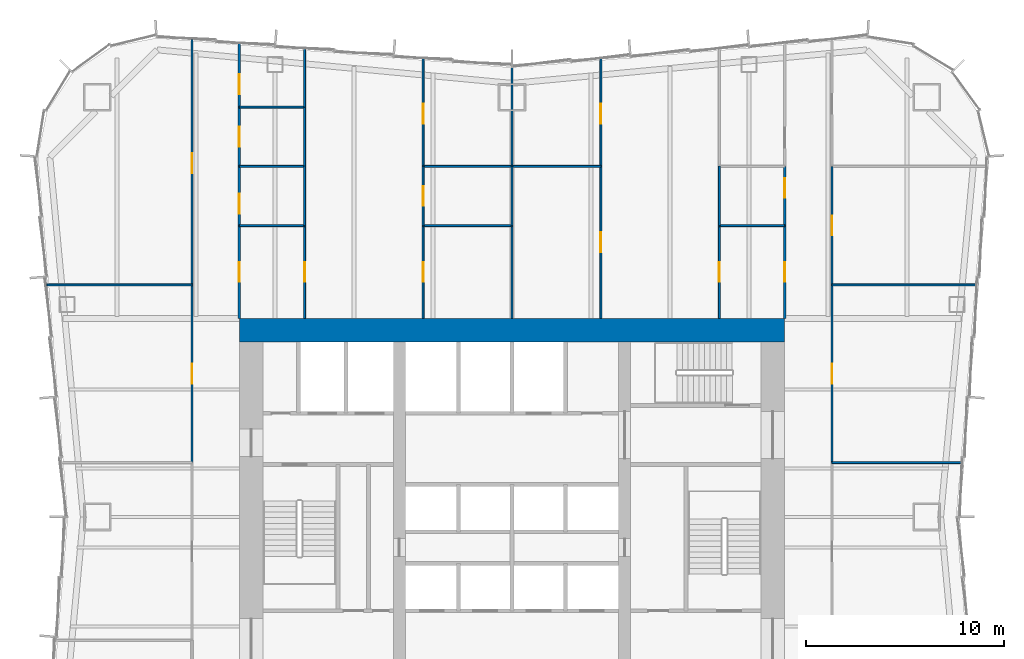
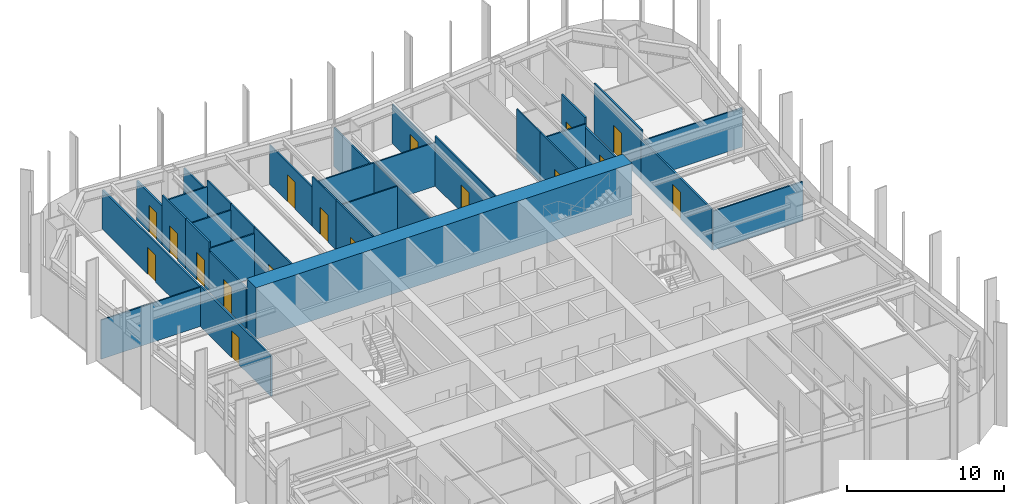
# One storey, part 11 of 13: 35 walls, 17 doors, 17 openings.
"""IFC4 building model written with IfcOpenShell, lengths in metres."""

from ifc_helpers import new_model, si_unit, direction, frame, frame_2d, origin, place, context, subcontext, project, spatial, rectangle, extrude, material, layer, layer_set, type_object, element, fill, save


model = new_model("IFC4")

# Units and contexts
model_context = context("Model", 3, precision=1e-05, world=origin(), true_north=direction((0.0, 1.0)))
body_context = subcontext(model_context, "Body", "Model", "MODEL_VIEW")
ifc_project = project(units=[si_unit("LENGTHUNIT", "METRE"), si_unit("AREAUNIT", "SQUARE_METRE"), si_unit("VOLUMEUNIT", "CUBIC_METRE"), si_unit("PLANEANGLEUNIT", "RADIAN"), si_unit("MASSUNIT", "GRAM", prefix="KILO")], contexts=[model_context])

# Site, building, storey
site_placement = place(None, origin())
site = spatial("IfcSite", under=ifc_project, at=site_placement, CompositionType="ELEMENT")
building_placement = place(site_placement, origin())
building = spatial("IfcBuilding", under=site, at=building_placement, Name="Verdant Reach Tower", CompositionType="ELEMENT")
storey_placement = place(building_placement, frame((0.0, 0.0, 106.0)))
storey = spatial("IfcBuildingStorey", under=building, at=storey_placement, Name="L24", CompositionType="ELEMENT", Elevation=106.0)

# Walls
ifc_material_1 = material(Name="Gypsum board on steel studs", Category="steel")
ifc_layer_1 = layer(ifc_material_1, 0.10009765625)
ifc_layer_set_1 = layer_set([ifc_layer_1], Name="FL-W1 Partition 100")
wall_type_1 = type_object("IfcWallType", Name="FL-W1 Partition 100", PredefinedType="PARTITIONING", material=ifc_layer_set_1)
wall_1_placement = place(storey_placement, frame((-16.199951171875, 40.5, 0.0), z_axis=(0.0, 0.0, 1.0), x_axis=(-1.0, 0.0, 0.0)))
element("IfcWall", 1, at=wall_1_placement, inside=storey, type_object=wall_type_1, Name="Partition 24.32", PredefinedType="PARTITIONING", context=body_context, shape_type="SweptSolid", body=[
    extrude(rectangle(XDim=7.345947265625, YDim=0.10009765625, at=frame_2d((3.6728515625, 0.0))), origin(), (0.0, 0.0, 1.0), 3.0400390625),
])
wall_2_placement = place(storey_placement, frame((22.805908203125, 31.5, 0.0), z_axis=(0.0, 0.0, 1.0), x_axis=(-1.0, 0.0, 0.0)))
element("IfcWall", 2, at=wall_2_placement, inside=storey, type_object=wall_type_1, Name="Partition 24.35", PredefinedType="PARTITIONING", context=body_context, shape_type="SweptSolid", body=[
    extrude(rectangle(XDim=6.60595703125, YDim=0.10009765625, at=frame_2d((3.302978515625, 0.0))), origin(), (0.0, 0.0, 1.0), 3.0400390625),
])
wall_3_placement = place(storey_placement, frame((23.5458984375, 40.5, 0.0), z_axis=(0.0, 0.0, 1.0), x_axis=(-1.0, 0.0, 0.0)))
element("IfcWall", 3, at=wall_3_placement, inside=storey, type_object=wall_type_1, Name="Partition 24.36", PredefinedType="PARTITIONING", context=body_context, shape_type="SweptSolid", body=[
    extrude(rectangle(XDim=7.345947265625, YDim=0.10009765625, at=frame_2d((3.6728515625, 0.0))), origin(), (0.0, 0.0, 1.0), 3.0400390625),
])
wall_4_placement = place(storey_placement, frame((-10.5, 43.5, 0.0), z_axis=(0.0, 0.0, 1.0), x_axis=(-1.0, 0.0, 0.0)))
element("IfcWall", 4, at=wall_4_placement, inside=storey, type_object=wall_type_1, Name="Partition 24.54", PredefinedType="PARTITIONING", context=body_context, shape_type="SweptSolid", body=[
    extrude(rectangle(XDim=3.300048828125, YDim=0.10009765625, at=frame_2d((1.64990234375, 0.0))), origin(), (0.0, 0.0, 1.0), 3.389892578125),
])

# Wall, opening, door
wall_5_placement = place(storey_placement, frame((-10.5, 43.50390625, 0.0), z_axis=(0.0, 0.0, 1.0), x_axis=(0.0, -1.0, 0.0)))
wall_5 = element("IfcWall", 5, at=wall_5_placement, inside=storey, type_object=wall_type_1, Name="Partition 24.55", PredefinedType="PARTITIONING", context=body_context, shape_type="SweptSolid", body=[
    extrude(rectangle(XDim=4.703857421875, YDim=0.10009765625, at=frame_2d((2.35205078125, 0.0))), origin(), (0.0, 0.0, 1.0), 3.8701171875),
])
opening_1_placement = place(wall_5_placement, frame((1.85205078125, 0.0, 0.0)))
opening_1 = element("IfcOpeningElement", 6, at=opening_1_placement, cuts=wall_5, Name="Opening D3", PredefinedType="OPENING", context=body_context, shape_type="SweptSolid", body=[
    extrude(rectangle(XDim=1.0, YDim=2.10009765625, at=frame_2d((0.5, 1.050048828125))), frame((0.0, 0.06005859375, 0.0), z_axis=(0.0, -1.0, 0.0), x_axis=(1.0, 0.0, 0.0)), (0.0, 0.0, 1.0), 0.1201171875),
])
ifc_material_2 = material(Name="Painted timber door leaf", Category="wood")
door_type_1 = type_object("IfcDoorType", Name="FL-D3 Door 1000x2100", OperationType="NOTDEFINED", PredefinedType="DOOR", material=ifc_material_2)
door_1_placement = place(opening_1_placement, origin())
door_1 = element("IfcDoor", 7, at=door_1_placement, inside=storey, type_object=door_type_1, Name="Door 24-032", OperationType="SINGLE_SWING_RIGHT", OverallHeight=2.10009765625, OverallWidth=1.0, PredefinedType="DOOR", context=body_context, shape_type="SweptSolid", body=[
    extrude(rectangle(XDim=1.0, YDim=2.10009765625, at=frame_2d((0.5, 1.050048828125))), frame((0.0, 0.02490234375, 0.0), z_axis=(0.0, -1.0, 0.0), x_axis=(1.0, 0.0, 0.0)), (0.0, 0.0, 1.0), 0.050048828125),
])
fill(opening_1, door_1)

# Walls
wall_6_placement = place(storey_placement, frame((-10.5, 46.5, 0.0), z_axis=(0.0, 0.0, 1.0), x_axis=(-1.0, 0.0, 0.0)))
element("IfcWall", 8, at=wall_6_placement, inside=storey, type_object=wall_type_1, Name="Partition 24.56", PredefinedType="PARTITIONING", context=body_context, shape_type="SweptSolid", body=[
    extrude(rectangle(XDim=3.300048828125, YDim=0.10009765625, at=frame_2d((1.64990234375, 0.0))), origin(), (0.0, 0.0, 1.0), 3.389892578125),
])
wall_7_placement = place(storey_placement, frame((-10.5, 43.49609375, 0.0), z_axis=(0.0, 0.0, 1.0), x_axis=(0.0, 1.0, 0.0)))
element("IfcWall", 9, at=wall_7_placement, inside=storey, type_object=wall_type_1, Name="Partition 24.57", PredefinedType="PARTITIONING", context=body_context, shape_type="SweptSolid", body=[
    extrude(rectangle(XDim=3.0078125, YDim=0.10009765625, at=frame_2d((1.50390625, 0.0))), origin(), (0.0, 0.0, 1.0), 3.8701171875),
])
wall_8_placement = place(storey_placement, frame((-10.5, 49.5, 0.0), z_axis=(0.0, 0.0, 1.0), x_axis=(-1.0, 0.0, 0.0)))
element("IfcWall", 10, at=wall_8_placement, inside=storey, type_object=wall_type_1, Name="Partition 24.58", PredefinedType="PARTITIONING", context=body_context, shape_type="SweptSolid", body=[
    extrude(rectangle(XDim=3.300048828125, YDim=0.10009765625, at=frame_2d((1.64990234375, 0.0))), origin(), (0.0, 0.0, 1.0), 3.389892578125),
])
wall_9_placement = place(storey_placement, frame((-10.5, 46.49609375, 0.0), z_axis=(0.0, 0.0, 1.0), x_axis=(0.0, 1.0, 0.0)))
element("IfcWall", 11, at=wall_9_placement, inside=storey, type_object=wall_type_1, Name="Partition 24.59", PredefinedType="PARTITIONING", context=body_context, shape_type="SweptSolid", body=[
    extrude(rectangle(XDim=3.0078125, YDim=0.10009765625, at=frame_2d((1.50390625, 0.0))), origin(), (0.0, 0.0, 1.0), 3.8701171875),
])
wall_10_placement = place(storey_placement, frame((-10.5, 49.49609375, 0.0), z_axis=(0.0, 0.0, 1.0), x_axis=(0.0, 1.0, 0.0)))
element("IfcWall", 12, at=wall_10_placement, inside=storey, type_object=wall_type_1, Name="Partition 24.60", PredefinedType="PARTITIONING", context=body_context, shape_type="SweptSolid", body=[
    extrude(rectangle(XDim=2.958984375, YDim=0.10009765625, at=frame_2d((1.4794921875, 0.0))), origin(), (0.0, 0.0, 1.0), 3.0400390625),
])

# Wall, opening, door
wall_11_placement = place(storey_placement, frame((-4.5, 43.5, 0.0), z_axis=(0.0, 0.0, 1.0), x_axis=(0.0, -1.0, 0.0)))
wall_11 = element("IfcWall", 13, at=wall_11_placement, inside=storey, type_object=wall_type_1, Name="Partition 24.61", PredefinedType="PARTITIONING", context=body_context, shape_type="SweptSolid", body=[
    extrude(rectangle(XDim=4.699951171875, YDim=0.10009765625, at=frame_2d((2.35009765625, 0.0))), origin(), (0.0, 0.0, 1.0), 3.8701171875),
])
opening_2_placement = place(wall_11_placement, frame((1.85009765625, 0.0, 0.0)))
opening_2 = element("IfcOpeningElement", 14, at=opening_2_placement, cuts=wall_11, Name="Opening D3", PredefinedType="OPENING", context=body_context, shape_type="SweptSolid", body=[
    extrude(rectangle(XDim=1.0, YDim=2.10009765625, at=frame_2d((0.5, 1.050048828125))), frame((0.0, 0.06005859375, 0.0), z_axis=(0.0, -1.0, 0.0), x_axis=(1.0, 0.0, 0.0)), (0.0, 0.0, 1.0), 0.1201171875),
])
door_2_placement = place(opening_2_placement, origin())
door_2 = element("IfcDoor", 15, at=door_2_placement, inside=storey, type_object=door_type_1, Name="Door 24-033", OperationType="SINGLE_SWING_LEFT", OverallHeight=2.10009765625, OverallWidth=1.0, PredefinedType="DOOR", context=body_context, shape_type="SweptSolid", body=[
    extrude(rectangle(XDim=1.0, YDim=2.10009765625, at=frame_2d((0.5, 1.050048828125))), frame((0.0, 0.02490234375, 0.0), z_axis=(0.0, -1.0, 0.0), x_axis=(1.0, 0.0, 0.0)), (0.0, 0.0, 1.0), 0.050048828125),
])
fill(opening_2, door_2)

wall_12_placement = place(storey_placement, frame((-4.5, 46.5, 0.0), z_axis=(0.0, 0.0, 1.0), x_axis=(0.0, -1.0, 0.0)))
wall_12 = element("IfcWall", 16, at=wall_12_placement, inside=storey, type_object=wall_type_1, Name="Partition 24.62", PredefinedType="PARTITIONING", context=body_context, shape_type="SweptSolid", body=[
    extrude(rectangle(XDim=3.0, YDim=0.10009765625, at=frame_2d((1.5, 0.0))), origin(), (0.0, 0.0, 1.0), 3.8701171875),
])
opening_3_placement = place(wall_12_placement, frame((1.0, 0.0, 0.0)))
opening_3 = element("IfcOpeningElement", 17, at=opening_3_placement, cuts=wall_12, Name="Opening D3", PredefinedType="OPENING", context=body_context, shape_type="SweptSolid", body=[
    extrude(rectangle(XDim=1.0, YDim=2.10009765625, at=frame_2d((0.5, 1.050048828125))), frame((0.0, 0.06005859375, 0.0), z_axis=(0.0, -1.0, 0.0), x_axis=(1.0, 0.0, 0.0)), (0.0, 0.0, 1.0), 0.1201171875),
])
door_3_placement = place(opening_3_placement, origin())
door_3 = element("IfcDoor", 18, at=door_3_placement, inside=storey, type_object=door_type_1, Name="Door 24-034", OperationType="SINGLE_SWING_RIGHT", OverallHeight=2.10009765625, OverallWidth=1.0, PredefinedType="DOOR", context=body_context, shape_type="SweptSolid", body=[
    extrude(rectangle(XDim=1.0, YDim=2.10009765625, at=frame_2d((0.5, 1.050048828125))), frame((0.0, 0.02490234375, 0.0), z_axis=(0.0, -1.0, 0.0), x_axis=(1.0, 0.0, 0.0)), (0.0, 0.0, 1.0), 0.050048828125),
])
fill(opening_3, door_3)

wall_13_placement = place(storey_placement, frame((-4.5, 51.955078125, 0.0), z_axis=(0.0, 0.0, 1.0), x_axis=(0.0, -1.0, 0.0)))
wall_13 = element("IfcWall", 19, at=wall_13_placement, inside=storey, type_object=wall_type_1, Name="Partition 24.63", PredefinedType="PARTITIONING", context=body_context, shape_type="SweptSolid", body=[
    extrude(rectangle(XDim=5.455078125, YDim=0.10009765625, at=frame_2d((2.7275390625, 0.0))), origin(), (0.0, 0.0, 1.0), 3.0400390625),
])
opening_4_placement = place(wall_13_placement, frame((2.29248046875, 0.0, 0.0)))
opening_4 = element("IfcOpeningElement", 20, at=opening_4_placement, cuts=wall_13, Name="Opening D3", PredefinedType="OPENING", context=body_context, shape_type="SweptSolid", body=[
    extrude(rectangle(XDim=1.0, YDim=2.10009765625, at=frame_2d((0.5, 1.050048828125))), frame((0.0, 0.06005859375, 0.0), z_axis=(0.0, -1.0, 0.0), x_axis=(1.0, 0.0, 0.0)), (0.0, 0.0, 1.0), 0.1201171875),
])
door_4_placement = place(opening_4_placement, origin())
door_4 = element("IfcDoor", 21, at=door_4_placement, inside=storey, type_object=door_type_1, Name="Door 24-035", OperationType="SINGLE_SWING_RIGHT", OverallHeight=2.10009765625, OverallWidth=1.0, PredefinedType="DOOR", context=body_context, shape_type="SweptSolid", body=[
    extrude(rectangle(XDim=1.0, YDim=2.10009765625, at=frame_2d((0.5, 1.050048828125))), frame((0.0, 0.02490234375, 0.0), z_axis=(0.0, -1.0, 0.0), x_axis=(1.0, 0.0, 0.0)), (0.0, 0.0, 1.0), 0.050048828125),
])
fill(opening_4, door_4)

# Walls
wall_14_placement = place(storey_placement, frame((0.0, 43.5, 0.0), z_axis=(0.0, 0.0, 1.0), x_axis=(-1.0, 0.0, 0.0)))
element("IfcWall", 22, at=wall_14_placement, inside=storey, type_object=wall_type_1, Name="Partition 24.64", PredefinedType="PARTITIONING", context=body_context, shape_type="SweptSolid", body=[
    extrude(rectangle(XDim=4.5, YDim=0.10009765625, at=frame_2d((2.25, 0.0))), origin(), (0.0, 0.0, 1.0), 3.389892578125),
])
wall_15_placement = place(storey_placement, frame((0.0, 38.800048828125, 0.0), z_axis=(0.0, 0.0, 1.0), x_axis=(0.0, 1.0, 0.0)))
element("IfcWall", 23, at=wall_15_placement, inside=storey, type_object=wall_type_1, Name="Partition 24.65", PredefinedType="PARTITIONING", context=body_context, shape_type="SweptSolid", body=[
    extrude(rectangle(XDim=4.703857421875, YDim=0.10009765625, at=frame_2d((2.35205078125, 0.0))), origin(), (0.0, 0.0, 1.0), 3.43994140625),
])
wall_16_placement = place(storey_placement, frame((0.0, 46.5, 0.0), z_axis=(0.0, 0.0, 1.0), x_axis=(-1.0, 0.0, 0.0)))
element("IfcWall", 24, at=wall_16_placement, inside=storey, type_object=wall_type_1, Name="Partition 24.66", PredefinedType="PARTITIONING", context=body_context, shape_type="SweptSolid", body=[
    extrude(rectangle(XDim=4.5, YDim=0.10009765625, at=frame_2d((2.25, 0.0))), origin(), (0.0, 0.0, 1.0), 3.389892578125),
])
wall_17_placement = place(storey_placement, frame((0.0, 43.49609375, 0.0), z_axis=(0.0, 0.0, 1.0), x_axis=(0.0, 1.0, 0.0)))
element("IfcWall", 25, at=wall_17_placement, inside=storey, type_object=wall_type_1, Name="Partition 24.67", PredefinedType="PARTITIONING", context=body_context, shape_type="SweptSolid", body=[
    extrude(rectangle(XDim=3.00390625, YDim=0.10009765625, at=frame_2d((1.501953125, 0.0))), origin(), (0.0, 0.0, 1.0), 3.43994140625),
])
wall_18_placement = place(storey_placement, frame((0.0, 46.5, 0.0), z_axis=(0.0, 0.0, 1.0), x_axis=(0.0, 1.0, 0.0)))
element("IfcWall", 26, at=wall_18_placement, inside=storey, type_object=wall_type_1, Name="Partition 24.68", PredefinedType="PARTITIONING", context=body_context, shape_type="SweptSolid", body=[
    extrude(rectangle(XDim=5.080078125, YDim=0.10009765625, at=frame_2d((2.5400390625, 0.0))), origin(), (0.0, 0.0, 1.0), 3.0400390625),
])
wall_19_placement = place(storey_placement, frame((13.800048828125, 43.5, 0.0), z_axis=(0.0, 0.0, 1.0), x_axis=(-1.0, 0.0, 0.0)))
element("IfcWall", 27, at=wall_19_placement, inside=storey, type_object=wall_type_1, Name="Partition 24.69", PredefinedType="PARTITIONING", context=body_context, shape_type="SweptSolid", body=[
    extrude(rectangle(XDim=3.300048828125, YDim=0.10009765625, at=frame_2d((1.64990234375, 0.0))), origin(), (0.0, 0.0, 1.0), 3.389892578125),
])

# Wall, opening, door
wall_20_placement = place(storey_placement, frame((10.5, 38.800048828125, 0.0), z_axis=(0.0, 0.0, 1.0), x_axis=(0.0, 1.0, 0.0)))
wall_20 = element("IfcWall", 28, at=wall_20_placement, inside=storey, type_object=wall_type_1, Name="Partition 24.70", PredefinedType="PARTITIONING", context=body_context, shape_type="SweptSolid", body=[
    extrude(rectangle(XDim=4.703857421875, YDim=0.10009765625, at=frame_2d((2.35205078125, 0.0))), origin(), (0.0, 0.0, 1.0), 3.8701171875),
])
opening_5_placement = place(wall_20_placement, frame((1.85205078125, 0.0, 0.0)))
opening_5 = element("IfcOpeningElement", 29, at=opening_5_placement, cuts=wall_20, Name="Opening D3", PredefinedType="OPENING", context=body_context, shape_type="SweptSolid", body=[
    extrude(rectangle(XDim=1.0, YDim=2.10009765625, at=frame_2d((0.5, 1.050048828125))), frame((0.0, 0.06005859375, 0.0), z_axis=(0.0, -1.0, 0.0), x_axis=(1.0, 0.0, 0.0)), (0.0, 0.0, 1.0), 0.1201171875),
])
door_5_placement = place(opening_5_placement, origin())
door_5 = element("IfcDoor", 30, at=door_5_placement, inside=storey, type_object=door_type_1, Name="Door 24-036", OperationType="SINGLE_SWING_RIGHT", OverallHeight=2.10009765625, OverallWidth=1.0, PredefinedType="DOOR", context=body_context, shape_type="SweptSolid", body=[
    extrude(rectangle(XDim=1.0, YDim=2.10009765625, at=frame_2d((0.5, 1.050048828125))), frame((0.0, 0.02490234375, 0.0), z_axis=(0.0, -1.0, 0.0), x_axis=(1.0, 0.0, 0.0)), (0.0, 0.0, 1.0), 0.050048828125),
])
fill(opening_5, door_5)

# Wall
wall_21_placement = place(storey_placement, frame((10.5, 46.50390625, 0.0), z_axis=(0.0, 0.0, 1.0), x_axis=(0.0, -1.0, 0.0)))
element("IfcWall", 31, at=wall_21_placement, inside=storey, type_object=wall_type_1, Name="Partition 24.72", PredefinedType="PARTITIONING", context=body_context, shape_type="SweptSolid", body=[
    extrude(rectangle(XDim=3.0078125, YDim=0.10009765625, at=frame_2d((1.50390625, 0.0))), origin(), (0.0, 0.0, 1.0), 3.8701171875),
])

# Wall, opening, door
wall_22_placement = place(storey_placement, frame((4.5, 38.800048828125, 0.0), z_axis=(0.0, 0.0, 1.0), x_axis=(0.0, 1.0, 0.0)))
wall_22 = element("IfcWall", 32, at=wall_22_placement, inside=storey, type_object=wall_type_1, Name="Partition 24.74", PredefinedType="PARTITIONING", context=body_context, shape_type="SweptSolid", body=[
    extrude(rectangle(XDim=7.699951171875, YDim=0.10009765625, at=frame_2d((3.85009765625, 0.0))), origin(), (0.0, 0.0, 1.0), 3.8701171875),
])
opening_6_placement = place(wall_22_placement, frame((3.35009765625, 0.0, 0.0)))
opening_6 = element("IfcOpeningElement", 33, at=opening_6_placement, cuts=wall_22, Name="Opening D3", PredefinedType="OPENING", context=body_context, shape_type="SweptSolid", body=[
    extrude(rectangle(XDim=1.0, YDim=2.10009765625, at=frame_2d((0.5, 1.050048828125))), frame((0.0, 0.06005859375, 0.0), z_axis=(0.0, -1.0, 0.0), x_axis=(1.0, 0.0, 0.0)), (0.0, 0.0, 1.0), 0.1201171875),
])
door_6_placement = place(opening_6_placement, origin())
door_6 = element("IfcDoor", 34, at=door_6_placement, inside=storey, type_object=door_type_1, Name="Door 24-037", OperationType="SINGLE_SWING_LEFT", OverallHeight=2.10009765625, OverallWidth=1.0, PredefinedType="DOOR", context=body_context, shape_type="SweptSolid", body=[
    extrude(rectangle(XDim=1.0, YDim=2.10009765625, at=frame_2d((0.5, 1.050048828125))), frame((0.0, 0.02490234375, 0.0), z_axis=(0.0, -1.0, 0.0), x_axis=(1.0, 0.0, 0.0)), (0.0, 0.0, 1.0), 0.050048828125),
])
fill(opening_6, door_6)

wall_23_placement = place(storey_placement, frame((4.5, 46.5, 0.0), z_axis=(0.0, 0.0, 1.0), x_axis=(0.0, 1.0, 0.0)))
wall_23 = element("IfcWall", 35, at=wall_23_placement, inside=storey, type_object=wall_type_1, Name="Partition 24.75", PredefinedType="PARTITIONING", context=body_context, shape_type="SweptSolid", body=[
    extrude(rectangle(XDim=5.455078125, YDim=0.10009765625, at=frame_2d((2.7275390625, 0.0))), origin(), (0.0, 0.0, 1.0), 3.0400390625),
])
opening_7_placement = place(wall_23_placement, frame((2.162353515625, 0.0, 0.0)))
opening_7 = element("IfcOpeningElement", 36, at=opening_7_placement, cuts=wall_23, Name="Opening D3", PredefinedType="OPENING", context=body_context, shape_type="SweptSolid", body=[
    extrude(rectangle(XDim=1.0, YDim=2.10009765625, at=frame_2d((0.5, 1.050048828125))), frame((0.0, 0.06005859375, 0.0), z_axis=(0.0, -1.0, 0.0), x_axis=(1.0, 0.0, 0.0)), (0.0, 0.0, 1.0), 0.1201171875),
])
door_7_placement = place(opening_7_placement, origin())
door_7 = element("IfcDoor", 37, at=door_7_placement, inside=storey, type_object=door_type_1, Name="Door 24-038", OperationType="SINGLE_SWING_LEFT", OverallHeight=2.10009765625, OverallWidth=1.0, PredefinedType="DOOR", context=body_context, shape_type="SweptSolid", body=[
    extrude(rectangle(XDim=1.0, YDim=2.10009765625, at=frame_2d((0.5, 1.050048828125))), frame((0.0, 0.02490234375, 0.0), z_axis=(0.0, -1.0, 0.0), x_axis=(1.0, 0.0, 0.0)), (0.0, 0.0, 1.0), 0.050048828125),
])
fill(opening_7, door_7)

# Wall
wall_24_placement = place(storey_placement, frame((4.5, 46.5, 0.0), z_axis=(0.0, 0.0, 1.0), x_axis=(-1.0, 0.0, 0.0)))
element("IfcWall", 38, at=wall_24_placement, inside=storey, type_object=wall_type_1, Name="Partition 24.76", PredefinedType="PARTITIONING", context=body_context, shape_type="SweptSolid", body=[
    extrude(rectangle(XDim=4.5, YDim=0.10009765625, at=frame_2d((2.25, 0.0))), origin(), (0.0, 0.0, 1.0), 3.389892578125),
])

# Wall, opening, door
ifc_material_3 = material(Name="Gypsum board on steel studs, fire rated", Category="steel")
ifc_layer_2 = layer(ifc_material_3, 0.125)
ifc_layer_set_2 = layer_set([ifc_layer_2], Name="FL-W2 Corridor wall 125")
wall_type_2 = type_object("IfcWallType", Name="FL-W2 Corridor wall 125", PredefinedType="PARTITIONING", material=ifc_layer_set_2)
wall_25_placement = place(storey_placement, frame((-16.199951171875, 31.5, 0.0), z_axis=(0.0, 0.0, 1.0), x_axis=(0.0, 1.0, 0.0)))
wall_25 = element("IfcWall", 39, at=wall_25_placement, inside=storey, type_object=wall_type_2, Name="Partition 24.06", PredefinedType="PARTITIONING", context=body_context, shape_type="SweptSolid", body=[
    extrude(rectangle(XDim=9.0, YDim=0.125, at=frame_2d((4.5, 0.0))), origin(), (0.0, 0.0, 1.0), 3.139892578125),
])
opening_8_placement = place(wall_25_placement, frame((4.0, 0.0, 0.0)))
opening_8 = element("IfcOpeningElement", 40, at=opening_8_placement, cuts=wall_25, Name="Opening D2", PredefinedType="OPENING", context=body_context, shape_type="SweptSolid", body=[
    extrude(rectangle(XDim=1.0, YDim=2.10009765625, at=frame_2d((0.5, 1.050048828125))), frame((0.0, 0.072509765625, 0.0), z_axis=(0.0, -1.0, 0.0), x_axis=(1.0, 0.0, 0.0)), (0.0, 0.0, 1.0), 0.14501953125),
])
ifc_material_4 = material(Name="Timber door leaf, fire rated", Category="wood")
door_type_2 = type_object("IfcDoorType", Name="FL-D2 Entrance door 1000x2100 FD30", OperationType="NOTDEFINED", PredefinedType="DOOR", material=ifc_material_4)
door_8_placement = place(opening_8_placement, origin())
door_8 = element("IfcDoor", 41, at=door_8_placement, inside=storey, type_object=door_type_2, Name="Door 24-006", OperationType="SINGLE_SWING_RIGHT", OverallHeight=2.10009765625, OverallWidth=1.0, PredefinedType="DOOR", context=body_context, shape_type="SweptSolid", body=[
    extrude(rectangle(XDim=1.0, YDim=2.10009765625, at=frame_2d((0.5, 1.050048828125))), frame((0.0, 0.02490234375, 0.0), z_axis=(0.0, -1.0, 0.0), x_axis=(1.0, 0.0, 0.0)), (0.0, 0.0, 1.0), 0.050048828125),
])
fill(opening_8, door_8)

wall_26_placement = place(storey_placement, frame((-16.199951171875, 40.5, 0.0), z_axis=(0.0, 0.0, 1.0), x_axis=(0.0, 1.0, 0.0)))
wall_26 = element("IfcWall", 42, at=wall_26_placement, inside=storey, type_object=wall_type_2, Name="Partition 24.07", PredefinedType="PARTITIONING", context=body_context, shape_type="SweptSolid", body=[
    extrude(rectangle(XDim=12.429931640625, YDim=0.125, at=frame_2d((6.21484375, 0.0))), origin(), (0.0, 0.0, 1.0), 3.0400390625),
])
opening_9_placement = place(wall_26_placement, frame((5.64990234375, 0.0, 0.0)))
opening_9 = element("IfcOpeningElement", 43, at=opening_9_placement, cuts=wall_26, Name="Opening D2", PredefinedType="OPENING", context=body_context, shape_type="SweptSolid", body=[
    extrude(rectangle(XDim=1.0, YDim=2.10009765625, at=frame_2d((0.5, 1.050048828125))), frame((0.0, 0.072509765625, 0.0), z_axis=(0.0, -1.0, 0.0), x_axis=(1.0, 0.0, 0.0)), (0.0, 0.0, 1.0), 0.14501953125),
])
door_9_placement = place(opening_9_placement, origin())
door_9 = element("IfcDoor", 44, at=door_9_placement, inside=storey, type_object=door_type_2, Name="Door 24-007", OperationType="SINGLE_SWING_LEFT", OverallHeight=2.10009765625, OverallWidth=1.0, PredefinedType="DOOR", context=body_context, shape_type="SweptSolid", body=[
    extrude(rectangle(XDim=1.0, YDim=2.10009765625, at=frame_2d((0.5, 1.050048828125))), frame((0.0, 0.02490234375, 0.0), z_axis=(0.0, -1.0, 0.0), x_axis=(1.0, 0.0, 0.0)), (0.0, 0.0, 1.0), 0.050048828125),
])
fill(opening_9, door_9)

wall_27_placement = place(storey_placement, frame((-13.800048828125, 43.5, 0.0), z_axis=(0.0, 0.0, 1.0), x_axis=(0.0, -1.0, 0.0)))
wall_27 = element("IfcWall", 45, at=wall_27_placement, inside=storey, type_object=wall_type_2, Name="Partition 24.11", PredefinedType="PARTITIONING", context=body_context, shape_type="SweptSolid", body=[
    extrude(rectangle(XDim=4.699951171875, YDim=0.125, at=frame_2d((2.35009765625, 0.0))), origin(), (0.0, 0.0, 1.0), 3.139892578125),
])
opening_10_placement = place(wall_27_placement, frame((1.85009765625, 0.0, 0.0)))
opening_10 = element("IfcOpeningElement", 46, at=opening_10_placement, cuts=wall_27, Name="Opening D2", PredefinedType="OPENING", context=body_context, shape_type="SweptSolid", body=[
    extrude(rectangle(XDim=1.0, YDim=2.10009765625, at=frame_2d((0.5, 1.050048828125))), frame((0.0, 0.072509765625, 0.0), z_axis=(0.0, -1.0, 0.0), x_axis=(1.0, 0.0, 0.0)), (0.0, 0.0, 1.0), 0.14501953125),
])
door_10_placement = place(opening_10_placement, origin())
door_10 = element("IfcDoor", 47, at=door_10_placement, inside=storey, type_object=door_type_2, Name="Door 24-010", OperationType="SINGLE_SWING_RIGHT", OverallHeight=2.10009765625, OverallWidth=1.0, PredefinedType="DOOR", context=body_context, shape_type="SweptSolid", body=[
    extrude(rectangle(XDim=1.0, YDim=2.10009765625, at=frame_2d((0.5, 1.050048828125))), frame((0.0, 0.02490234375, 0.0), z_axis=(0.0, -1.0, 0.0), x_axis=(1.0, 0.0, 0.0)), (0.0, 0.0, 1.0), 0.050048828125),
])
fill(opening_10, door_10)

wall_28_placement = place(storey_placement, frame((-13.800048828125, 46.5, 0.0), z_axis=(0.0, 0.0, 1.0), x_axis=(0.0, -1.0, 0.0)))
wall_28 = element("IfcWall", 48, at=wall_28_placement, inside=storey, type_object=wall_type_2, Name="Partition 24.12", PredefinedType="PARTITIONING", context=body_context, shape_type="SweptSolid", body=[
    extrude(rectangle(XDim=3.0, YDim=0.125, at=frame_2d((1.5, 0.0))), origin(), (0.0, 0.0, 1.0), 3.8701171875),
])
opening_11_placement = place(wall_28_placement, frame((1.39990234375, 0.0, 0.0)))
opening_11 = element("IfcOpeningElement", 49, at=opening_11_placement, cuts=wall_28, Name="Opening D2", PredefinedType="OPENING", context=body_context, shape_type="SweptSolid", body=[
    extrude(rectangle(XDim=1.0, YDim=2.10009765625, at=frame_2d((0.5, 1.050048828125))), frame((0.0, 0.072509765625, 0.0), z_axis=(0.0, -1.0, 0.0), x_axis=(1.0, 0.0, 0.0)), (0.0, 0.0, 1.0), 0.14501953125),
])
door_11_placement = place(opening_11_placement, origin())
door_11 = element("IfcDoor", 50, at=door_11_placement, inside=storey, type_object=door_type_2, Name="Door 24-011", OperationType="SINGLE_SWING_RIGHT", OverallHeight=2.10009765625, OverallWidth=1.0, PredefinedType="DOOR", context=body_context, shape_type="SweptSolid", body=[
    extrude(rectangle(XDim=1.0, YDim=2.10009765625, at=frame_2d((0.5, 1.050048828125))), frame((0.0, 0.02490234375, 0.0), z_axis=(0.0, -1.0, 0.0), x_axis=(1.0, 0.0, 0.0)), (0.0, 0.0, 1.0), 0.050048828125),
])
fill(opening_11, door_11)

wall_29_placement = place(storey_placement, frame((-13.800048828125, 49.5, 0.0), z_axis=(0.0, 0.0, 1.0), x_axis=(0.0, -1.0, 0.0)))
wall_29 = element("IfcWall", 51, at=wall_29_placement, inside=storey, type_object=wall_type_2, Name="Partition 24.13", PredefinedType="PARTITIONING", context=body_context, shape_type="SweptSolid", body=[
    extrude(rectangle(XDim=3.0, YDim=0.125, at=frame_2d((1.5, 0.0))), origin(), (0.0, 0.0, 1.0), 3.8701171875),
])
opening_12_placement = place(wall_29_placement, frame((1.0, 0.0, 0.0)))
opening_12 = element("IfcOpeningElement", 52, at=opening_12_placement, cuts=wall_29, Name="Opening D2", PredefinedType="OPENING", context=body_context, shape_type="SweptSolid", body=[
    extrude(rectangle(XDim=1.0, YDim=2.10009765625, at=frame_2d((0.5, 1.050048828125))), frame((0.0, 0.072509765625, 0.0), z_axis=(0.0, -1.0, 0.0), x_axis=(1.0, 0.0, 0.0)), (0.0, 0.0, 1.0), 0.14501953125),
])
door_12_placement = place(opening_12_placement, origin())
door_12 = element("IfcDoor", 53, at=door_12_placement, inside=storey, type_object=door_type_2, Name="Door 24-012", OperationType="SINGLE_SWING_RIGHT", OverallHeight=2.10009765625, OverallWidth=1.0, PredefinedType="DOOR", context=body_context, shape_type="SweptSolid", body=[
    extrude(rectangle(XDim=1.0, YDim=2.10009765625, at=frame_2d((0.5, 1.050048828125))), frame((0.0, 0.02490234375, 0.0), z_axis=(0.0, -1.0, 0.0), x_axis=(1.0, 0.0, 0.0)), (0.0, 0.0, 1.0), 0.050048828125),
])
fill(opening_12, door_12)

wall_30_placement = place(storey_placement, frame((-13.800048828125, 52.72998046875, 0.0), z_axis=(0.0, 0.0, 1.0), x_axis=(0.0, -1.0, 0.0)))
wall_30 = element("IfcWall", 54, at=wall_30_placement, inside=storey, type_object=wall_type_2, Name="Partition 24.14", PredefinedType="PARTITIONING", context=body_context, shape_type="SweptSolid", body=[
    extrude(rectangle(XDim=3.22998046875, YDim=0.125, at=frame_2d((1.614990234375, 0.0))), origin(), (0.0, 0.0, 1.0), 3.0400390625),
])
opening_13_placement = place(wall_30_placement, frame((1.580078125, 0.0, 0.0)))
opening_13 = element("IfcOpeningElement", 55, at=opening_13_placement, cuts=wall_30, Name="Opening D2", PredefinedType="OPENING", context=body_context, shape_type="SweptSolid", body=[
    extrude(rectangle(XDim=1.0, YDim=2.10009765625, at=frame_2d((0.5, 1.050048828125))), frame((0.0, 0.072509765625, 0.0), z_axis=(0.0, -1.0, 0.0), x_axis=(1.0, 0.0, 0.0)), (0.0, 0.0, 1.0), 0.14501953125),
])
door_13_placement = place(opening_13_placement, origin())
door_13 = element("IfcDoor", 56, at=door_13_placement, inside=storey, type_object=door_type_2, Name="Door 24-013", OperationType="SINGLE_SWING_RIGHT", OverallHeight=2.10009765625, OverallWidth=1.0, PredefinedType="DOOR", context=body_context, shape_type="SweptSolid", body=[
    extrude(rectangle(XDim=1.0, YDim=2.10009765625, at=frame_2d((0.5, 1.050048828125))), frame((0.0, 0.02490234375, 0.0), z_axis=(0.0, -1.0, 0.0), x_axis=(1.0, 0.0, 0.0)), (0.0, 0.0, 1.0), 0.050048828125),
])
fill(opening_13, door_13)

wall_31_placement = place(storey_placement, frame((16.199951171875, 40.5, 0.0), z_axis=(0.0, 0.0, 1.0), x_axis=(0.0, -1.0, 0.0)))
wall_31 = element("IfcWall", 57, at=wall_31_placement, inside=storey, type_object=wall_type_2, Name="Partition 24.18", PredefinedType="PARTITIONING", context=body_context, shape_type="SweptSolid", body=[
    extrude(rectangle(XDim=9.0, YDim=0.125, at=frame_2d((4.5, 0.0))), origin(), (0.0, 0.0, 1.0), 3.139892578125),
])
opening_14_placement = place(wall_31_placement, frame((4.0, 0.0, 0.0)))
opening_14 = element("IfcOpeningElement", 58, at=opening_14_placement, cuts=wall_31, Name="Opening D2", PredefinedType="OPENING", context=body_context, shape_type="SweptSolid", body=[
    extrude(rectangle(XDim=1.0, YDim=2.10009765625, at=frame_2d((0.5, 1.050048828125))), frame((0.0, 0.072509765625, 0.0), z_axis=(0.0, -1.0, 0.0), x_axis=(1.0, 0.0, 0.0)), (0.0, 0.0, 1.0), 0.14501953125),
])
door_14_placement = place(opening_14_placement, origin())
door_14 = element("IfcDoor", 59, at=door_14_placement, inside=storey, type_object=door_type_2, Name="Door 24-017", OperationType="SINGLE_SWING_LEFT", OverallHeight=2.10009765625, OverallWidth=1.0, PredefinedType="DOOR", context=body_context, shape_type="SweptSolid", body=[
    extrude(rectangle(XDim=1.0, YDim=2.10009765625, at=frame_2d((0.5, 1.050048828125))), frame((0.0, 0.02490234375, 0.0), z_axis=(0.0, -1.0, 0.0), x_axis=(1.0, 0.0, 0.0)), (0.0, 0.0, 1.0), 0.050048828125),
])
fill(opening_14, door_14)

wall_32_placement = place(storey_placement, frame((16.199951171875, 46.5, 0.0), z_axis=(0.0, 0.0, 1.0), x_axis=(0.0, -1.0, 0.0)))
wall_32 = element("IfcWall", 60, at=wall_32_placement, inside=storey, type_object=wall_type_2, Name="Partition 24.19", PredefinedType="PARTITIONING", context=body_context, shape_type="SweptSolid", body=[
    extrude(rectangle(XDim=6.0, YDim=0.125, at=frame_2d((3.0, 0.0))), origin(), (0.0, 0.0, 1.0), 3.8701171875),
])
opening_15_placement = place(wall_32_placement, frame((2.5, 0.0, 0.0)))
opening_15 = element("IfcOpeningElement", 61, at=opening_15_placement, cuts=wall_32, Name="Opening D2", PredefinedType="OPENING", context=body_context, shape_type="SweptSolid", body=[
    extrude(rectangle(XDim=1.0, YDim=2.10009765625, at=frame_2d((0.5, 1.050048828125))), frame((0.0, 0.072509765625, 0.0), z_axis=(0.0, -1.0, 0.0), x_axis=(1.0, 0.0, 0.0)), (0.0, 0.0, 1.0), 0.14501953125),
])
door_15_placement = place(opening_15_placement, origin())
door_15 = element("IfcDoor", 62, at=door_15_placement, inside=storey, type_object=door_type_2, Name="Door 24-018", OperationType="SINGLE_SWING_RIGHT", OverallHeight=2.10009765625, OverallWidth=1.0, PredefinedType="DOOR", context=body_context, shape_type="SweptSolid", body=[
    extrude(rectangle(XDim=1.0, YDim=2.10009765625, at=frame_2d((0.5, 1.050048828125))), frame((0.0, 0.02490234375, 0.0), z_axis=(0.0, -1.0, 0.0), x_axis=(1.0, 0.0, 0.0)), (0.0, 0.0, 1.0), 0.050048828125),
])
fill(opening_15, door_15)

wall_33_placement = place(storey_placement, frame((13.800048828125, 38.800048828125, 0.0), z_axis=(0.0, 0.0, 1.0), x_axis=(0.0, 1.0, 0.0)))
wall_33 = element("IfcWall", 63, at=wall_33_placement, inside=storey, type_object=wall_type_2, Name="Partition 24.24", PredefinedType="PARTITIONING", context=body_context, shape_type="SweptSolid", body=[
    extrude(rectangle(XDim=4.699951171875, YDim=0.125, at=frame_2d((2.35009765625, 0.0))), origin(), (0.0, 0.0, 1.0), 3.139892578125),
])
opening_16_placement = place(wall_33_placement, frame((1.85009765625, 0.0, 0.0)))
opening_16 = element("IfcOpeningElement", 64, at=opening_16_placement, cuts=wall_33, Name="Opening D2", PredefinedType="OPENING", context=body_context, shape_type="SweptSolid", body=[
    extrude(rectangle(XDim=1.0, YDim=2.10009765625, at=frame_2d((0.5, 1.050048828125))), frame((0.0, 0.072509765625, 0.0), z_axis=(0.0, -1.0, 0.0), x_axis=(1.0, 0.0, 0.0)), (0.0, 0.0, 1.0), 0.14501953125),
])
door_16_placement = place(opening_16_placement, origin())
door_16 = element("IfcDoor", 65, at=door_16_placement, inside=storey, type_object=door_type_2, Name="Door 24-023", OperationType="SINGLE_SWING_LEFT", OverallHeight=2.10009765625, OverallWidth=1.0, PredefinedType="DOOR", context=body_context, shape_type="SweptSolid", body=[
    extrude(rectangle(XDim=1.0, YDim=2.10009765625, at=frame_2d((0.5, 1.050048828125))), frame((0.0, 0.02490234375, 0.0), z_axis=(0.0, -1.0, 0.0), x_axis=(1.0, 0.0, 0.0)), (0.0, 0.0, 1.0), 0.050048828125),
])
fill(opening_16, door_16)

wall_34_placement = place(storey_placement, frame((13.800048828125, 43.5, 0.0), z_axis=(0.0, 0.0, 1.0), x_axis=(0.0, 1.0, 0.0)))
wall_34 = element("IfcWall", 66, at=wall_34_placement, inside=storey, type_object=wall_type_2, Name="Partition 24.25", PredefinedType="PARTITIONING", context=body_context, shape_type="SweptSolid", body=[
    extrude(rectangle(XDim=3.0, YDim=0.125, at=frame_2d((1.5, 0.0))), origin(), (0.0, 0.0, 1.0), 3.8701171875),
])
opening_17_placement = place(wall_34_placement, frame((1.39990234375, 0.0, 0.0)))
opening_17 = element("IfcOpeningElement", 67, at=opening_17_placement, cuts=wall_34, Name="Opening D2", PredefinedType="OPENING", context=body_context, shape_type="SweptSolid", body=[
    extrude(rectangle(XDim=1.0, YDim=2.10009765625, at=frame_2d((0.5, 1.050048828125))), frame((0.0, 0.072509765625, 0.0), z_axis=(0.0, -1.0, 0.0), x_axis=(1.0, 0.0, 0.0)), (0.0, 0.0, 1.0), 0.14501953125),
])
door_17_placement = place(opening_17_placement, origin())
door_17 = element("IfcDoor", 68, at=door_17_placement, inside=storey, type_object=door_type_2, Name="Door 24-024", OperationType="SINGLE_SWING_RIGHT", OverallHeight=2.10009765625, OverallWidth=1.0, PredefinedType="DOOR", context=body_context, shape_type="SweptSolid", body=[
    extrude(rectangle(XDim=1.0, YDim=2.10009765625, at=frame_2d((0.5, 1.050048828125))), frame((0.0, 0.02490234375, 0.0), z_axis=(0.0, -1.0, 0.0), x_axis=(1.0, 0.0, 0.0)), (0.0, 0.0, 1.0), 0.050048828125),
])
fill(opening_17, door_17)

# Wall
ifc_material_5 = material(Name="Concrete C70/85", Category="concrete")
ifc_layer_3 = layer(ifc_material_5, 1.199951171875)
ifc_layer_set_3 = layer_set([ifc_layer_3], Name="ST-CORE-WALL-1200")
wall_type_3 = type_object("IfcWallType", Name="ST-CORE-WALL-1200", PredefinedType="SHEAR", material=ifc_layer_set_3)
wall_35_placement = place(storey_placement, frame((-13.800048828125, 38.199951171875, -0.1298828125), z_axis=(0.0, 0.0, 1.0), x_axis=(1.0, 0.0, 0.0)))
element("IfcWall", 69, at=wall_35_placement, inside=storey, type_object=wall_type_3, Name="Core wall N, L24", PredefinedType="SHEAR", context=body_context, shape_type="SweptSolid", body=[
    extrude(rectangle(XDim=27.60009765625, YDim=1.199951171875, at=frame_2d((13.800048828125, 0.0))), origin(), (0.0, 0.0, 1.0), 4.0),
])

save(model, "model.ifc")
